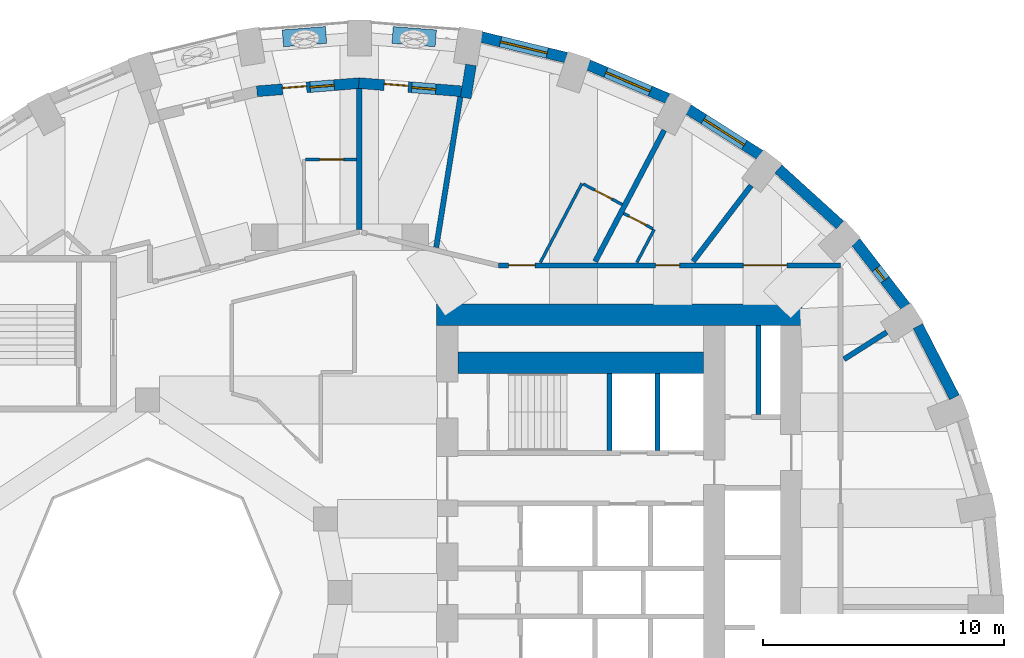
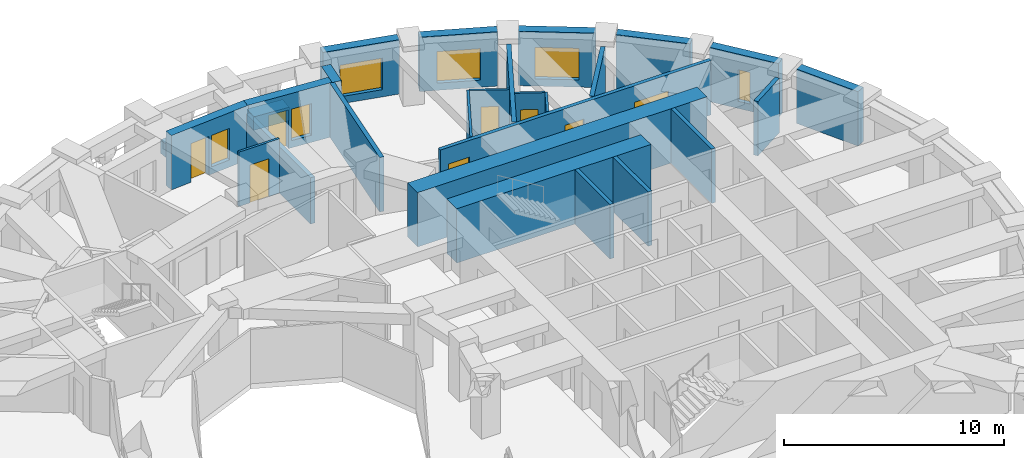
# One storey, part 8 of 12: 27 walls, 8 doors, 6 windows, 14 openings.
"""IFC4 building model written with IfcOpenShell, lengths in metres."""

from ifc_helpers import new_model, si_unit, direction, frame, frame_2d, origin, place, context, subcontext, project, spatial, rectangle, extrude, material, layer, layer_set, constituent, constituent_set, type_object, element, fill, save


model = new_model("IFC4")

# Units and contexts
model_context = context("Model", 3, precision=1e-05, world=origin(), true_north=direction((0.0, 1.0)))
body_context = subcontext(model_context, "Body", "Model", "MODEL_VIEW")
ifc_project = project(units=[si_unit("LENGTHUNIT", "METRE"), si_unit("AREAUNIT", "SQUARE_METRE"), si_unit("VOLUMEUNIT", "CUBIC_METRE"), si_unit("PLANEANGLEUNIT", "RADIAN"), si_unit("MASSUNIT", "GRAM", prefix="KILO")], contexts=[model_context])

# Site, building, storey
site_placement = place(None, origin())
site = spatial("IfcSite", under=ifc_project, at=site_placement, CompositionType="ELEMENT")
building_placement = place(site_placement, origin())
building = spatial("IfcBuilding", under=site, at=building_placement, Name="Taillehof Tower", CompositionType="ELEMENT")
storey_placement = place(building_placement, frame((0.0, 0.0, 92.199951171875)))
storey = spatial("IfcBuildingStorey", under=building, at=storey_placement, Name="L25", CompositionType="ELEMENT", Elevation=92.199951171875)

# Wall
ifc_material_1 = material(Name="Brick masonry", Category="masonry")
ifc_layer_1 = layer(ifc_material_1, 0.449951171875)
ifc_layer_set_1 = layer_set([ifc_layer_1], Name="Brick infill wall 450")
wall_type_1 = type_object("IfcWallType", Name="Brick infill wall 450", PredefinedType="SOLIDWALL", material=ifc_layer_set_1)
wall_1_placement = place(storey_placement, frame((25.545166015625, 8.1123046875, 0.0), z_axis=(0.0, 0.0, 1.0), x_axis=(-0.456828186229, 0.889554949549, 0.0)))
element("IfcWall", 1, at=wall_1_placement, inside=storey, type_object=wall_type_1, Name="Brick wall L25 bay 3", PredefinedType="SOLIDWALL", context=body_context, shape_type="SweptSolid", body=[
    extrude(rectangle(XDim=3.332763671875, YDim=0.449951171875, at=frame_2d((1.66650390625, 0.0))), origin(), (0.0, 0.0, 1.0), 3.02001953125),
])

# Wall, opening, window
wall_2_placement = place(storey_placement, frame((23.508056640625, 11.887451171875, 0.0), z_axis=(0.0, 0.0, 1.0), x_axis=(-0.610693945156, 0.791866721961, 0.0)))
wall_2 = element("IfcWall", 2, at=wall_2_placement, inside=storey, type_object=wall_type_1, Name="Brick wall L25 bay 4", PredefinedType="SOLIDWALL", context=body_context, shape_type="SweptSolid", body=[
    extrude(rectangle(XDim=3.39453125, YDim=0.449951171875, at=frame_2d((1.697265625, 0.0))), origin(), (0.0, 0.0, 1.0), 3.02001953125),
])
opening_1_placement = place(wall_2_placement, frame((1.397216796875, 0.0, 0.39990234375)))
opening_1 = element("IfcOpeningElement", 3, at=opening_1_placement, cuts=wall_2, Name="Opening W6", PredefinedType="OPENING", context=body_context, shape_type="SweptSolid", body=[
    extrude(rectangle(XDim=0.60009765625, YDim=1.75, at=frame_2d((0.300048828125, 0.875))), frame((0.0, 0.23486328125, 0.0), z_axis=(0.0, -1.0, 0.0), x_axis=(1.0, 0.0, 0.0)), (0.0, 0.0, 1.0), 0.469970703125),
])
ifc_material_2 = material(Name="Aluminium window frame with clear double glazing", Category="aluminium")
window_type_1 = type_object("IfcWindowType", Name="Slot window 600x1750", PartitioningType="SINGLE_PANEL", PredefinedType="WINDOW", material=ifc_material_2)
window_1_placement = place(opening_1_placement, origin())
window_1 = element("IfcWindow", 4, at=window_1_placement, inside=storey, type_object=window_type_1, Name="W6", OverallHeight=1.75, OverallWidth=0.60009765625, PartitioningType="SINGLE_PANEL", PredefinedType="WINDOW", context=body_context, shape_type="SweptSolid", body=[
    extrude(rectangle(XDim=0.60009765625, YDim=1.75, at=frame_2d((0.300048828125, 0.875))), frame((0.0, 0.034912109375, 0.0), z_axis=(0.0, -1.0, 0.0), x_axis=(1.0, 0.0, 0.0)), (0.0, 0.0, 1.0), 0.06005859375),
])
fill(opening_1, window_1)

# Wall
wall_3_placement = place(storey_placement, frame((20.783935546875, 15.281005859375, 0.0), z_axis=(0.0, 0.0, 1.0), x_axis=(-0.74032902847, 0.672244694739, 0.0)))
element("IfcWall", 5, at=wall_3_placement, inside=storey, type_object=wall_type_1, Name="Brick wall L25 bay 5", PredefinedType="SOLIDWALL", context=body_context, shape_type="SweptSolid", body=[
    extrude(rectangle(XDim=3.4638671875, YDim=0.449951171875, at=frame_2d((1.73193359375, 0.0))), origin(), (0.0, 0.0, 1.0), 3.02001953125),
])

# Wall, opening, window
wall_4_placement = place(storey_placement, frame((17.456298828125, 18.19189453125, 0.0), z_axis=(0.0, 0.0, 1.0), x_axis=(-0.843880549131, 0.536531097699, 0.0)))
wall_4 = element("IfcWall", 6, at=wall_4_placement, inside=storey, type_object=wall_type_1, Name="Brick wall L25 bay 6", PredefinedType="SOLIDWALL", context=body_context, shape_type="SweptSolid", body=[
    extrude(rectangle(XDim=3.532470703125, YDim=0.449951171875, at=frame_2d((1.76611328125, 0.0))), origin(), (0.0, 0.0, 1.0), 3.02001953125),
])
opening_2_placement = place(wall_4_placement, frame((0.76611328125, 0.0, 0.39990234375)))
opening_2 = element("IfcOpeningElement", 7, at=opening_2_placement, cuts=wall_4, Name="Opening W2", PredefinedType="OPENING", context=body_context, shape_type="SweptSolid", body=[
    extrude(rectangle(XDim=2.0, YDim=1.75, at=frame_2d((1.0, 0.875))), frame((0.0, 0.23486328125, 0.0), z_axis=(0.0, -1.0, 0.0), x_axis=(1.0, 0.0, 0.0)), (0.0, 0.0, 1.0), 0.469970703125),
])
ifc_material_3 = material(Name="Aluminium window frame with clear double glazing", Category="aluminium")
window_type_2 = type_object("IfcWindowType", Name="Deep-set window 2000x1750", PartitioningType="SINGLE_PANEL", PredefinedType="WINDOW", material=ifc_material_3)
window_2_placement = place(opening_2_placement, origin())
window_2 = element("IfcWindow", 8, at=window_2_placement, inside=storey, type_object=window_type_2, Name="W2", OverallHeight=1.75, OverallWidth=2.0, PartitioningType="SINGLE_PANEL", PredefinedType="WINDOW", context=body_context, shape_type="SweptSolid", body=[
    extrude(rectangle(XDim=2.0, YDim=1.75, at=frame_2d((1.0, 0.875))), frame((0.0, 0.034912109375, 0.0), z_axis=(0.0, -1.0, 0.0), x_axis=(1.0, 0.0, 0.0)), (0.0, 0.0, 1.0), 0.06005859375),
])
fill(opening_2, window_2)

wall_5_placement = place(storey_placement, frame((13.625244140625, 20.533447265625, 0.0), z_axis=(0.0, 0.0, 1.0), x_axis=(-0.920869643542, 0.389870619055, 0.0)))
wall_5 = element("IfcWall", 9, at=wall_5_placement, inside=storey, type_object=wall_type_1, Name="Brick wall L25 bay 7", PredefinedType="SOLIDWALL", context=body_context, shape_type="SweptSolid", body=[
    extrude(rectangle(XDim=3.59130859375, YDim=0.449951171875, at=frame_2d((1.795654296875, 0.0))), origin(), (0.0, 0.0, 1.0), 3.02001953125),
])
opening_3_placement = place(wall_5_placement, frame((0.795654296875, 0.0, 0.39990234375)))
opening_3 = element("IfcOpeningElement", 10, at=opening_3_placement, cuts=wall_5, Name="Opening W2", PredefinedType="OPENING", context=body_context, shape_type="SweptSolid", body=[
    extrude(rectangle(XDim=2.0, YDim=1.75, at=frame_2d((1.0, 0.875))), frame((0.0, 0.23486328125, 0.0), z_axis=(0.0, -1.0, 0.0), x_axis=(1.0, 0.0, 0.0)), (0.0, 0.0, 1.0), 0.469970703125),
])
window_3_placement = place(opening_3_placement, origin())
window_3 = element("IfcWindow", 11, at=window_3_placement, inside=storey, type_object=window_type_2, Name="W2", OverallHeight=1.75, OverallWidth=2.0, PartitioningType="SINGLE_PANEL", PredefinedType="WINDOW", context=body_context, shape_type="SweptSolid", body=[
    extrude(rectangle(XDim=2.0, YDim=1.75, at=frame_2d((1.0, 0.875))), frame((0.0, 0.034912109375, 0.0), z_axis=(0.0, -1.0, 0.0), x_axis=(1.0, 0.0, 0.0)), (0.0, 0.0, 1.0), 0.06005859375),
])
fill(opening_3, window_3)

wall_6_placement = place(storey_placement, frame((9.406494140625, 22.2353515625, 0.0), z_axis=(0.0, 0.0, 1.0), x_axis=(-0.971667603162, 0.236351579148, 0.0)))
wall_6 = element("IfcWall", 12, at=wall_6_placement, inside=storey, type_object=wall_type_1, Name="Brick wall L25 bay 8", PredefinedType="SOLIDWALL", context=body_context, shape_type="SweptSolid", body=[
    extrude(rectangle(XDim=3.635009765625, YDim=0.449951171875, at=frame_2d((1.8173828125, 0.0))), origin(), (0.0, 0.0, 1.0), 3.02001953125),
])
opening_4_placement = place(wall_6_placement, frame((0.8173828125, 0.0, 0.39990234375)))
opening_4 = element("IfcOpeningElement", 13, at=opening_4_placement, cuts=wall_6, Name="Opening W2", PredefinedType="OPENING", context=body_context, shape_type="SweptSolid", body=[
    extrude(rectangle(XDim=2.0, YDim=1.75, at=frame_2d((1.0, 0.875))), frame((0.0, 0.23486328125, 0.0), z_axis=(0.0, -1.0, 0.0), x_axis=(1.0, 0.0, 0.0)), (0.0, 0.0, 1.0), 0.469970703125),
])
window_4_placement = place(opening_4_placement, origin())
window_4 = element("IfcWindow", 14, at=window_4_placement, inside=storey, type_object=window_type_2, Name="W2", OverallHeight=1.75, OverallWidth=2.0, PartitioningType="SINGLE_PANEL", PredefinedType="WINDOW", context=body_context, shape_type="SweptSolid", body=[
    extrude(rectangle(XDim=2.0, YDim=1.75, at=frame_2d((1.0, 0.875))), frame((0.0, 0.034912109375, 0.0), z_axis=(0.0, -1.0, 0.0), x_axis=(1.0, 0.0, 0.0)), (0.0, 0.0, 1.0), 0.06005859375),
])
fill(opening_4, window_4)

# Wall
wall_7_placement = place(storey_placement, frame((5.44140625, 21.932373046875, 0.0), z_axis=(0.0, 0.0, 1.0), x_axis=(-0.158586380547, -0.987345106792, 0.0)))
element("IfcWall", 15, at=wall_7_placement, inside=storey, type_object=wall_type_1, Name="Brick reveal L25 pocket 2", PredefinedType="SOLIDWALL", context=body_context, shape_type="SweptSolid", body=[
    extrude(rectangle(XDim=1.39013671875, YDim=0.449951171875, at=frame_2d((0.695068359375, 0.0))), origin(), (0.0, 0.0, 1.0), 3.02001953125),
])

# Wall, openings, door, window
wall_8_placement = place(storey_placement, frame((5.03759765625, 20.836669921875, 0.0), z_axis=(0.0, 0.0, 1.0), x_axis=(-0.996839780714, 0.079438350855, 0.0)))
wall_8 = element("IfcWall", 16, at=wall_8_placement, inside=storey, type_object=wall_type_1, Name="Brick wall L25 pocket bay 9", PredefinedType="SOLIDWALL", context=body_context, shape_type="SweptSolid", body=[
    extrude(rectangle(XDim=4.268798828125, YDim=0.449951171875, at=frame_2d((2.13427734375, 0.0))), origin(), (0.0, 0.0, 1.0), 3.02001953125),
])
opening_5_placement = place(wall_8_placement, frame((1.0595703125, 0.0, 0.39990234375)))
opening_5 = element("IfcOpeningElement", 17, at=opening_5_placement, cuts=wall_8, Name="Opening W5", PredefinedType="OPENING", context=body_context, shape_type="SweptSolid", body=[
    extrude(rectangle(XDim=1.0, YDim=1.75, at=frame_2d((0.5, 0.875))), frame((0.0, 0.23486328125, 0.0), z_axis=(0.0, -1.0, 0.0), x_axis=(1.0, 0.0, 0.0)), (0.0, 0.0, 1.0), 0.469970703125),
])
opening_6_placement = place(wall_8_placement, frame((2.20947265625, 0.0, 0.0)))
opening_6 = element("IfcOpeningElement", 18, at=opening_6_placement, cuts=wall_8, Name="Opening D2594", PredefinedType="OPENING", context=body_context, shape_type="SweptSolid", body=[
    extrude(rectangle(XDim=1.0, YDim=2.14990234375, at=frame_2d((0.5, 1.074951171875))), frame((0.0, 0.23486328125, 0.0), z_axis=(0.0, -1.0, 0.0), x_axis=(1.0, 0.0, 0.0)), (0.0, 0.0, 1.0), 0.469970703125),
])
ifc_material_4 = material(Name="Aluminium door frame with clear double glazing", Category="aluminium")
door_type_1 = type_object("IfcDoorType", Name="Balcony door 1000x2150", OperationType="SINGLE_SWING_RIGHT", PredefinedType="DOOR", material=ifc_material_4)
door_1_placement = place(opening_6_placement, frame((1.0, 0.0, 0.0), z_axis=(0.0, 0.0, 1.0), x_axis=(-1.0, 0.0, 0.0)))
door_1 = element("IfcDoor", 19, at=door_1_placement, inside=storey, type_object=door_type_1, Name="Balcony door L25 bay 9", OperationType="SINGLE_SWING_RIGHT", OverallHeight=2.14990234375, OverallWidth=1.0, PredefinedType="DOOR", context=body_context, shape_type="SweptSolid", body=[
    extrude(rectangle(XDim=1.0, YDim=2.14990234375, at=frame_2d((0.5, 1.074951171875))), frame((0.0, 0.0751953125, 0.0), z_axis=(0.0, -1.0, 0.0), x_axis=(1.0, 0.0, 0.0)), (0.0, 0.0, 1.0), 0.050048828125),
])
fill(opening_6, door_1)
ifc_material_5 = material(Name="Aluminium window frame with clear double glazing", Category="aluminium")
window_type_3 = type_object("IfcWindowType", Name="Fixed window 1000x1750", PartitioningType="SINGLE_PANEL", PredefinedType="WINDOW", material=ifc_material_5)
window_5_placement = place(opening_5_placement, origin())
window_5 = element("IfcWindow", 20, at=window_5_placement, inside=storey, type_object=window_type_3, Name="W5", OverallHeight=1.75, OverallWidth=1.0, PartitioningType="SINGLE_PANEL", PredefinedType="WINDOW", context=body_context, shape_type="SweptSolid", body=[
    extrude(rectangle(XDim=1.0, YDim=1.75, at=frame_2d((0.5, 0.875))), frame((0.0, 0.034912109375, 0.0), z_axis=(0.0, -1.0, 0.0), x_axis=(1.0, 0.0, 0.0)), (0.0, 0.0, 1.0), 0.06005859375),
])
fill(opening_5, window_5)

wall_9_placement = place(storey_placement, frame((0.81787109375, 21.17578125, 0.0), z_axis=(0.0, 0.0, 1.0), x_axis=(-0.996843824935, -0.079387585235, 0.0)))
wall_9 = element("IfcWall", 21, at=wall_9_placement, inside=storey, type_object=wall_type_1, Name="Brick wall L25 pocket bay 10", PredefinedType="SOLIDWALL", context=body_context, shape_type="SweptSolid", body=[
    extrude(rectangle(XDim=4.286865234375, YDim=0.449951171875, at=frame_2d((2.1435546875, 0.0))), origin(), (0.0, 0.0, 1.0), 3.02001953125),
])
opening_7_placement = place(wall_9_placement, frame((1.068359375, 0.0, 0.39990234375)))
opening_7 = element("IfcOpeningElement", 22, at=opening_7_placement, cuts=wall_9, Name="Opening W5", PredefinedType="OPENING", context=body_context, shape_type="SweptSolid", body=[
    extrude(rectangle(XDim=1.0, YDim=1.75, at=frame_2d((0.5, 0.875))), frame((0.0, 0.23486328125, 0.0), z_axis=(0.0, -1.0, 0.0), x_axis=(1.0, 0.0, 0.0)), (0.0, 0.0, 1.0), 0.469970703125),
])
opening_8_placement = place(wall_9_placement, frame((2.218505859375, 0.0, 0.0)))
opening_8 = element("IfcOpeningElement", 23, at=opening_8_placement, cuts=wall_9, Name="Opening D2595", PredefinedType="OPENING", context=body_context, shape_type="SweptSolid", body=[
    extrude(rectangle(XDim=1.0, YDim=2.14990234375, at=frame_2d((0.5, 1.074951171875))), frame((0.0, 0.23486328125, 0.0), z_axis=(0.0, -1.0, 0.0), x_axis=(1.0, 0.0, 0.0)), (0.0, 0.0, 1.0), 0.469970703125),
])
door_2_placement = place(opening_8_placement, frame((1.0, 0.0, 0.0), z_axis=(0.0, 0.0, 1.0), x_axis=(-1.0, 0.0, 0.0)))
door_2 = element("IfcDoor", 24, at=door_2_placement, inside=storey, type_object=door_type_1, Name="Balcony door L25 bay 10", OperationType="SINGLE_SWING_LEFT", OverallHeight=2.14990234375, OverallWidth=1.0, PredefinedType="DOOR", context=body_context, shape_type="SweptSolid", body=[
    extrude(rectangle(XDim=1.0, YDim=2.14990234375, at=frame_2d((0.5, 1.074951171875))), frame((0.0, 0.0751953125, 0.0), z_axis=(0.0, -1.0, 0.0), x_axis=(1.0, 0.0, 0.0)), (0.0, 0.0, 1.0), 0.050048828125),
])
fill(opening_8, door_2)
window_6_placement = place(opening_7_placement, origin())
window_6 = element("IfcWindow", 25, at=window_6_placement, inside=storey, type_object=window_type_3, Name="W5", OverallHeight=1.75, OverallWidth=1.0, PartitioningType="SINGLE_PANEL", PredefinedType="WINDOW", context=body_context, shape_type="SweptSolid", body=[
    extrude(rectangle(XDim=1.0, YDim=1.75, at=frame_2d((0.5, 0.875))), frame((0.0, 0.034912109375, 0.0), z_axis=(0.0, -1.0, 0.0), x_axis=(1.0, 0.0, 0.0)), (0.0, 0.0, 1.0), 0.06005859375),
])
fill(opening_7, window_6)

# Wall
ifc_material_6 = material(Name="Calcium silicate masonry", Category="masonry")
ifc_layer_2 = layer(ifc_material_6, 0.199951171875)
ifc_layer_set_2 = layer_set([ifc_layer_2], Name="Compartment wall calcium silicate 200")
wall_type_2 = type_object("IfcWallType", Name="Compartment wall calcium silicate 200", PredefinedType="PARTITIONING", material=ifc_layer_set_2)
wall_10_placement = place(storey_placement, frame((17.39990234375, 7.39990234375, 0.0), z_axis=(0.0, 0.0, 1.0), x_axis=(0.0, 1.0, 0.0)))
element("IfcWall", 26, at=wall_10_placement, inside=storey, type_object=wall_type_2, Name="Compartment wall FW", PredefinedType="PARTITIONING", context=body_context, shape_type="SweptSolid", body=[
    extrude(rectangle(XDim=3.7001953125, YDim=0.199951171875, at=frame_2d((1.85009765625, 0.0))), origin(), (0.0, 0.0, 1.0), 3.02001953125),
])

# Wall, openings, doors
ifc_material_7 = material(Name="Gypsum board on steel studs, two layers each side", Category="steel")
ifc_layer_3 = layer(ifc_material_7, 0.199951171875)
ifc_layer_set_3 = layer_set([ifc_layer_3], Name="Compartment wall corridor 200")
wall_type_3 = type_object("IfcWallType", Name="Compartment wall corridor 200", PredefinedType="PARTITIONING", material=ifc_layer_set_3)
wall_11_placement = place(storey_placement, frame((6.588623046875, 13.60009765625, 0.0), z_axis=(0.0, 0.0, 1.0), x_axis=(1.0, 0.0, 0.0)))
wall_11 = element("IfcWall", 27, at=wall_11_placement, inside=storey, type_object=wall_type_3, Name="Compartment wall", PredefinedType="PARTITIONING", context=body_context, shape_type="SweptSolid", body=[
    extrude(rectangle(XDim=14.21142578125, YDim=0.199951171875, at=frame_2d((7.105712890625, 0.0))), origin(), (0.0, 0.0, 1.0), 3.02001953125),
])
opening_9_placement = place(wall_11_placement, frame((6.526611328125, 0.0, 0.0)))
opening_9 = element("IfcOpeningElement", 28, at=opening_9_placement, cuts=wall_11, Name="Opening D2540", PredefinedType="OPENING", context=body_context, shape_type="SweptSolid", body=[
    extrude(rectangle(XDim=1.0, YDim=2.10009765625, at=frame_2d((0.5, 1.050048828125))), frame((0.0, 0.10986328125, 0.0), z_axis=(0.0, -1.0, 0.0), x_axis=(1.0, 0.0, 0.0)), (0.0, 0.0, 1.0), 0.219970703125),
])
opening_10_placement = place(wall_11_placement, frame((0.4228515625, 0.0, 0.0)))
opening_10 = element("IfcOpeningElement", 29, at=opening_10_placement, cuts=wall_11, Name="Opening D2542", PredefinedType="OPENING", context=body_context, shape_type="SweptSolid", body=[
    extrude(rectangle(XDim=1.10009765625, YDim=2.10009765625, at=frame_2d((0.550048828125, 1.050048828125))), frame((0.0, 0.10986328125, 0.0), z_axis=(0.0, -1.0, 0.0), x_axis=(1.0, 0.0, 0.0)), (0.0, 0.0, 1.0), 0.219970703125),
])
opening_11_placement = place(wall_11_placement, frame((10.18115234375, 0.0, 0.0)))
opening_11 = element("IfcOpeningElement", 30, at=opening_11_placement, cuts=wall_11, Name="Opening D2564", PredefinedType="OPENING", context=body_context, shape_type="SweptSolid", body=[
    extrude(rectangle(XDim=1.800048828125, YDim=2.10009765625, at=frame_2d((0.89990234375, 1.050048828125))), frame((0.0, 0.10986328125, 0.0), z_axis=(0.0, -1.0, 0.0), x_axis=(1.0, 0.0, 0.0)), (0.0, 0.0, 1.0), 0.219970703125),
])
ifc_material_8 = material(Name="Timber door leaf in steel frame", Category="steel")
door_type_2 = type_object("IfcDoorType", Name="Guest room door EI 30 1000 x 2100", OperationType="SINGLE_SWING_LEFT", PredefinedType="DOOR", material=ifc_material_8)
door_3_placement = place(opening_9_placement, origin())
door_3 = element("IfcDoor", 31, at=door_3_placement, inside=storey, type_object=door_type_2, Name="D2540", OperationType="SINGLE_SWING_RIGHT", OverallHeight=2.10009765625, OverallWidth=1.0, PredefinedType="DOOR", context=body_context, shape_type="SweptSolid", body=[
    extrude(rectangle(XDim=1.0, YDim=2.10009765625, at=frame_2d((0.5, 1.050048828125))), frame((0.0, 0.02490234375, 0.0), z_axis=(0.0, -1.0, 0.0), x_axis=(1.0, 0.0, 0.0)), (0.0, 0.0, 1.0), 0.050048828125),
])
fill(opening_9, door_3)
ifc_material_9 = material(Name="Timber door leaf in steel frame", Category="steel")
door_type_3 = type_object("IfcDoorType", Name="Lounge and meeting room double door EI 30 1800 x 2100", OperationType="SINGLE_SWING_LEFT", PredefinedType="DOOR", material=ifc_material_9)
door_4_placement = place(opening_11_placement, origin())
door_4 = element("IfcDoor", 32, at=door_4_placement, inside=storey, type_object=door_type_3, Name="D2564", OperationType="DOUBLE_DOOR_SINGLE_SWING", OverallHeight=2.10009765625, OverallWidth=1.800048828125, PredefinedType="DOOR", context=body_context, shape_type="SweptSolid", body=[
    extrude(rectangle(XDim=1.800048828125, YDim=2.10009765625, at=frame_2d((0.89990234375, 1.050048828125))), frame((0.0, 0.02490234375, 0.0), z_axis=(0.0, -1.0, 0.0), x_axis=(1.0, 0.0, 0.0)), (0.0, 0.0, 1.0), 0.050048828125),
])
fill(opening_11, door_4)
ifc_material_10 = material(Name="Timber door leaf in steel frame", Category="steel")
door_type_4 = type_object("IfcDoorType", Name="Suite entrance door EI 30 1100 x 2100", OperationType="SINGLE_SWING_LEFT", PredefinedType="DOOR", material=ifc_material_10)
door_5_placement = place(opening_10_placement, origin())
door_5 = element("IfcDoor", 33, at=door_5_placement, inside=storey, type_object=door_type_4, Name="D2542", OperationType="SINGLE_SWING_RIGHT", OverallHeight=2.10009765625, OverallWidth=1.10009765625, PredefinedType="DOOR", context=body_context, shape_type="SweptSolid", body=[
    extrude(rectangle(XDim=1.10009765625, YDim=2.10009765625, at=frame_2d((0.550048828125, 1.050048828125))), frame((0.0, 0.02490234375, 0.0), z_axis=(0.0, -1.0, 0.0), x_axis=(1.0, 0.0, 0.0)), (0.0, 0.0, 1.0), 0.050048828125),
])
fill(opening_10, door_5)

# Walls
ifc_material_11 = material(Name="Gypsum board on double steel studs with mineral wool", Category="steel")
ifc_layer_4 = layer(ifc_material_11, 0.219970703125)
ifc_layer_set_4 = layer_set([ifc_layer_4], Name="Compartment wall guest room 220")
wall_type_4 = type_object("IfcWallType", Name="Compartment wall guest room 220", PredefinedType="PARTITIONING", material=ifc_layer_set_4)
wall_12_placement = place(storey_placement, frame((22.7265625, 10.8232421875, 0.0), z_axis=(0.0, 0.0, 1.0), x_axis=(-0.844549560094, -0.53547739499, 0.0)))
element("IfcWall", 34, at=wall_12_placement, inside=storey, type_object=wall_type_4, Name="Compartment wall", PredefinedType="PARTITIONING", context=body_context, shape_type="SweptSolid", body=[
    extrude(rectangle(XDim=2.102783203125, YDim=0.219970703125, at=frame_2d((1.05126953125, 0.0))), origin(), (0.0, 0.0, 1.0), 3.02001953125),
])
wall_13_placement = place(storey_placement, frame((17.08935546875, 16.9208984375, 0.0), z_axis=(0.0, 0.0, 1.0), x_axis=(-0.607055443677, -0.794659479464, 0.0)))
element("IfcWall", 35, at=wall_13_placement, inside=storey, type_object=wall_type_4, Name="Compartment wall", PredefinedType="PARTITIONING", context=body_context, shape_type="SweptSolid", body=[
    extrude(rectangle(XDim=3.97314453125, YDim=0.219970703125, at=frame_2d((1.986572265625, 0.0))), origin(), (0.0, 0.0, 1.0), 3.02001953125),
])
wall_14_placement = place(storey_placement, frame((13.47607421875, 19.217529296875, 0.0), z_axis=(0.0, 0.0, 1.0), x_axis=(-0.465345394262, -0.885129179295, 0.0)))
element("IfcWall", 36, at=wall_14_placement, inside=storey, type_object=wall_type_4, Name="Compartment wall", PredefinedType="PARTITIONING", context=body_context, shape_type="SweptSolid", body=[
    extrude(rectangle(XDim=6.1728515625, YDim=0.219970703125, at=frame_2d((3.08642578125, 0.0))), origin(), (0.0, 0.0, 1.0), 3.02001953125),
])
wall_15_placement = place(storey_placement, frame((5.001708984375, 20.614013671875, 0.0), z_axis=(0.0, 0.0, 1.0), x_axis=(-0.158494605855, -0.987359843175, 0.0)))
element("IfcWall", 37, at=wall_15_placement, inside=storey, type_object=wall_type_4, Name="Compartment wall", PredefinedType="PARTITIONING", context=body_context, shape_type="SweptSolid", body=[
    extrude(rectangle(XDim=6.346435546875, YDim=0.219970703125, at=frame_2d((3.17333984375, 0.0))), origin(), (0.0, 0.0, 1.0), 3.02001953125),
])
wall_16_placement = place(storey_placement, frame((0.800048828125, 20.948486328125, 0.0), z_axis=(0.0, 0.0, 1.0), x_axis=(0.0, -1.0, 0.0)))
element("IfcWall", 38, at=wall_16_placement, inside=storey, type_object=wall_type_4, Name="Compartment wall", PredefinedType="PARTITIONING", context=body_context, shape_type="SweptSolid", body=[
    extrude(rectangle(XDim=5.848388671875, YDim=0.219970703125, at=frame_2d((2.92431640625, 0.0))), origin(), (0.0, 0.0, 1.0), 2.570068359375),
])
ifc_material_12 = material(Name="Concrete C80/95", Category="concrete")
ifc_layer_5 = layer(ifc_material_12, 0.89990234375)
ifc_layer_set_5 = layer_set([ifc_layer_5], Name="Core wall C80/95 900")
wall_type_5 = type_object("IfcWallType", Name="Core wall C80/95 900", PredefinedType="SHEAR", material=ifc_layer_set_5)
wall_17_placement = place(storey_placement, frame((4.0, 11.550048828125, 0.0), z_axis=(0.0, 0.0, 1.0), x_axis=(1.0, 0.0, 0.0)))
element("IfcWall", 39, at=wall_17_placement, inside=storey, type_object=wall_type_5, Name="Core wall CW03", PredefinedType="SHEAR", context=body_context, shape_type="SweptSolid", body=[
    extrude(rectangle(XDim=15.199951171875, YDim=0.89990234375, at=frame_2d((7.60009765625, 0.0))), origin(), (0.0, 0.0, 1.0), 3.02001953125),
])
wall_18_placement = place(storey_placement, frame((4.89990234375, 9.550048828125, 0.0), z_axis=(0.0, 0.0, 1.0), x_axis=(1.0, 0.0, 0.0)))
element("IfcWall", 40, at=wall_18_placement, inside=storey, type_object=wall_type_5, Name="Core wall CW06", PredefinedType="SHEAR", context=body_context, shape_type="SweptSolid", body=[
    extrude(rectangle(XDim=10.2001953125, YDim=0.89990234375, at=frame_2d((5.10009765625, 0.0))), origin(), (0.0, 0.0, 1.0), 3.02001953125),
])
ifc_material_13 = material(Name="Gypsum board on steel studs, moisture resistant", Category="steel")
ifc_layer_6 = layer(ifc_material_13, 0.1201171875)
ifc_layer_set_6 = layer_set([ifc_layer_6], Name="En-suite wall 120")
wall_type_6 = type_object("IfcWallType", Name="En-suite wall 120", PredefinedType="PARTITIONING", material=ifc_layer_set_6)
wall_19_placement = place(storey_placement, frame((12.3359375, 13.718017578125, 0.0), z_axis=(0.0, 0.0, 1.0), x_axis=(0.465428746876, 0.88508535271, 0.0)))
element("IfcWall", 41, at=wall_19_placement, inside=storey, type_object=wall_type_6, Name="En-suite wall", PredefinedType="PARTITIONING", context=body_context, shape_type="SweptSolid", body=[
    extrude(rectangle(XDim=1.55224609375, YDim=0.1201171875, at=frame_2d((0.776123046875, 0.0))), origin(), (0.0, 0.0, 1.0), 3.02001953125),
])
wall_20_placement = place(storey_placement, frame((8.325439453125, 13.718017578125, 0.0), z_axis=(0.0, 0.0, 1.0), x_axis=(0.465348566369, 0.885127511593, 0.0)))
element("IfcWall", 42, at=wall_20_placement, inside=storey, type_object=wall_type_6, Name="En-suite wall", PredefinedType="PARTITIONING", context=body_context, shape_type="SweptSolid", body=[
    extrude(rectangle(XDim=3.718017578125, YDim=0.1201171875, at=frame_2d((1.85888671875, 0.0))), origin(), (0.0, 0.0, 1.0), 3.02001953125),
])

# Wall, opening, door
wall_21_placement = place(storey_placement, frame((13.005126953125, 15.11962890625, 0.0), z_axis=(0.0, 0.0, 1.0), x_axis=(-0.885148383454, 0.465308864378, 0.0)))
wall_21 = element("IfcWall", 43, at=wall_21_placement, inside=storey, type_object=wall_type_6, Name="En-suite wall", PredefinedType="PARTITIONING", context=body_context, shape_type="SweptSolid", body=[
    extrude(rectangle(XDim=1.3798828125, YDim=0.1201171875, at=frame_2d((0.68994140625, 0.0))), origin(), (0.0, 0.0, 1.0), 3.02001953125),
])
opening_12_placement = place(wall_21_placement, frame((0.31494140625, 0.0, 0.0)))
opening_12 = element("IfcOpeningElement", 44, at=opening_12_placement, cuts=wall_21, Name="Opening D2541", PredefinedType="OPENING", context=body_context, shape_type="SweptSolid", body=[
    extrude(rectangle(XDim=0.800048828125, YDim=2.10009765625, at=frame_2d((0.39990234375, 1.050048828125))), frame((0.0, 0.070068359375, 0.0), z_axis=(0.0, -1.0, 0.0), x_axis=(1.0, 0.0, 0.0)), (0.0, 0.0, 1.0), 0.14013671875),
])
ifc_material_14 = material(Name="Timber door leaf in steel frame", Category="steel")
door_type_5 = type_object("IfcDoorType", Name="En-suite door 800 x 2100", OperationType="SINGLE_SWING_LEFT", PredefinedType="DOOR", material=ifc_material_14)
door_6_placement = place(opening_12_placement, origin())
door_6 = element("IfcDoor", 45, at=door_6_placement, inside=storey, type_object=door_type_5, Name="D2541", OperationType="SINGLE_SWING_LEFT", OverallHeight=2.10009765625, OverallWidth=0.800048828125, PredefinedType="DOOR", context=body_context, shape_type="SweptSolid", body=[
    extrude(rectangle(XDim=0.800048828125, YDim=2.10009765625, at=frame_2d((0.39990234375, 1.050048828125))), frame((0.0, 0.02490234375, 0.0), z_axis=(0.0, -1.0, 0.0), x_axis=(1.0, 0.0, 0.0)), (0.0, 0.0, 1.0), 0.050048828125),
])
fill(opening_12, door_6)

wall_22_placement = place(storey_placement, frame((10.10888671875, 16.981201171875, 0.0), z_axis=(0.0, 0.0, 1.0), x_axis=(0.885114946598, -0.465372465139, 0.0)))
wall_22 = element("IfcWall", 46, at=wall_22_placement, inside=storey, type_object=wall_type_6, Name="En-suite wall", PredefinedType="PARTITIONING", context=body_context, shape_type="SweptSolid", body=[
    extrude(rectangle(XDim=1.829833984375, YDim=0.1201171875, at=frame_2d((0.9150390625, 0.0))), origin(), (0.0, 0.0, 1.0), 3.02001953125),
])
opening_13_placement = place(wall_22_placement, frame((0.539794921875, 0.0, 0.0)))
opening_13 = element("IfcOpeningElement", 47, at=opening_13_placement, cuts=wall_22, Name="Opening D2543", PredefinedType="OPENING", context=body_context, shape_type="SweptSolid", body=[
    extrude(rectangle(XDim=0.800048828125, YDim=2.10009765625, at=frame_2d((0.39990234375, 1.050048828125))), frame((0.0, 0.070068359375, 0.0), z_axis=(0.0, -1.0, 0.0), x_axis=(1.0, 0.0, 0.0)), (0.0, 0.0, 1.0), 0.14013671875),
])
door_7_placement = place(opening_13_placement, origin())
door_7 = element("IfcDoor", 48, at=door_7_placement, inside=storey, type_object=door_type_5, Name="D2543", OperationType="SINGLE_SWING_RIGHT", OverallHeight=2.10009765625, OverallWidth=0.800048828125, PredefinedType="DOOR", context=body_context, shape_type="SweptSolid", body=[
    extrude(rectangle(XDim=0.800048828125, YDim=2.10009765625, at=frame_2d((0.39990234375, 1.050048828125))), frame((0.0, 0.02490234375, 0.0), z_axis=(0.0, -1.0, 0.0), x_axis=(1.0, 0.0, 0.0)), (0.0, 0.0, 1.0), 0.050048828125),
])
fill(opening_13, door_7)

wall_23_placement = place(storey_placement, frame((-1.43994140625, 18.0, 0.0), z_axis=(0.0, 0.0, 1.0), x_axis=(1.0, 0.0, 0.0)))
wall_23 = element("IfcWall", 49, at=wall_23_placement, inside=storey, type_object=wall_type_6, Name="En-suite wall", PredefinedType="PARTITIONING", context=body_context, shape_type="SweptSolid", body=[
    extrude(rectangle(XDim=2.1298828125, YDim=0.1201171875, at=frame_2d((1.06494140625, 0.0))), origin(), (0.0, 0.0, 1.0), 3.02001953125),
])
opening_14_placement = place(wall_23_placement, frame((0.58984375, 0.0, 0.0)))
opening_14 = element("IfcOpeningElement", 50, at=opening_14_placement, cuts=wall_23, Name="Opening D2546", PredefinedType="OPENING", context=body_context, shape_type="SweptSolid", body=[
    extrude(rectangle(XDim=1.0, YDim=2.10009765625, at=frame_2d((0.5, 1.050048828125))), frame((0.0, 0.070068359375, 0.0), z_axis=(0.0, -1.0, 0.0), x_axis=(1.0, 0.0, 0.0)), (0.0, 0.0, 1.0), 0.14013671875),
])
ifc_material_15 = material(Name="Timber door leaf in steel frame", Category="steel")
door_type_6 = type_object("IfcDoorType", Name="Accessible en-suite door 1000 x 2100", OperationType="SINGLE_SWING_LEFT", PredefinedType="DOOR", material=ifc_material_15)
door_8_placement = place(opening_14_placement, origin())
door_8 = element("IfcDoor", 51, at=door_8_placement, inside=storey, type_object=door_type_6, Name="D2546", OperationType="SINGLE_SWING_LEFT", OverallHeight=2.10009765625, OverallWidth=1.0, PredefinedType="DOOR", context=body_context, shape_type="SweptSolid", body=[
    extrude(rectangle(XDim=1.0, YDim=2.10009765625, at=frame_2d((0.5, 1.050048828125))), frame((0.0, 0.02490234375, 0.0), z_axis=(0.0, -1.0, 0.0), x_axis=(1.0, 0.0, 0.0)), (0.0, 0.0, 1.0), 0.050048828125),
])
fill(opening_14, door_8)

# Walls
ifc_material_16 = material(Name="Concrete C30/37 precast", Category="concrete")
ifc_constituent_1 = constituent(ifc_material_16, Name="Structure", Category="concrete")
ifc_material_17 = material(Name="Insulated lining")
ifc_constituent_2 = constituent(ifc_material_17, Name="Lining")
ifc_constituent_set = constituent_set(constituents=[ifc_constituent_1, ifc_constituent_2], Name="Planter trough 700x750")
wall_type_7 = type_object("IfcWallType", Name="Planter trough 700x750", PredefinedType="USERDEFINED", material=ifc_constituent_set)
for number, where, z_axis, x_axis, name in (
    (52, (3.97802734375, 23.035888671875, 0.0), (0.0, 0.0, 1.0), (-0.996858257414, 0.079206152698, 0.0), "Planter L25 bay 9"),
    (53, (-0.58349609375, 23.178466796875, 0.0), (0.0, 0.0, 1.0), (-0.996858257414, -0.079206152698, 0.0), "Planter L25 bay 10"),
):
    element("IfcWall", number, at=place(storey_placement, frame(where, z_axis=z_axis, x_axis=x_axis)), inside=storey, type_object=wall_type_7, Name=name, ObjectType="PLANTER", PredefinedType="USERDEFINED", context=body_context, shape_type="SweptSolid", body=[
        extrude(rectangle(XDim=1.800048828125, YDim=0.699951171875, at=frame_2d((0.89990234375, 0.0))), origin(), (0.0, 0.0, 1.0), 0.75),
    ])
ifc_material_18 = material(Name="Concrete C50/60", Category="concrete")
ifc_layer_7 = layer(ifc_material_18, 0.199951171875)
ifc_layer_set_7 = layer_set([ifc_layer_7], Name="Shaft wall C50/60 200")
wall_type_8 = type_object("IfcWallType", Name="Shaft wall C50/60 200", PredefinedType="SHEAR", material=ifc_layer_set_7)
for number, where, z_axis, x_axis, name in (
    (54, (11.199951171875, 5.89990234375, 0.0), (0.0, 0.0, 1.0), (0.0, 1.0, 0.0), "Shaft wall SW"),
    (55, (13.199951171875, 5.89990234375, 0.0), (0.0, 0.0, 1.0), (0.0, 1.0, 0.0), "Shaft wall SW"),
):
    element("IfcWall", number, at=place(storey_placement, frame(where, z_axis=z_axis, x_axis=x_axis)), inside=storey, type_object=wall_type_8, Name=name, PredefinedType="SHEAR", context=body_context, shape_type="SweptSolid", body=[
        extrude(rectangle(XDim=3.2001953125, YDim=0.199951171875, at=frame_2d((1.60009765625, 0.0))), origin(), (0.0, 0.0, 1.0), 3.02001953125),
    ])

save(model, "model.ifc")
